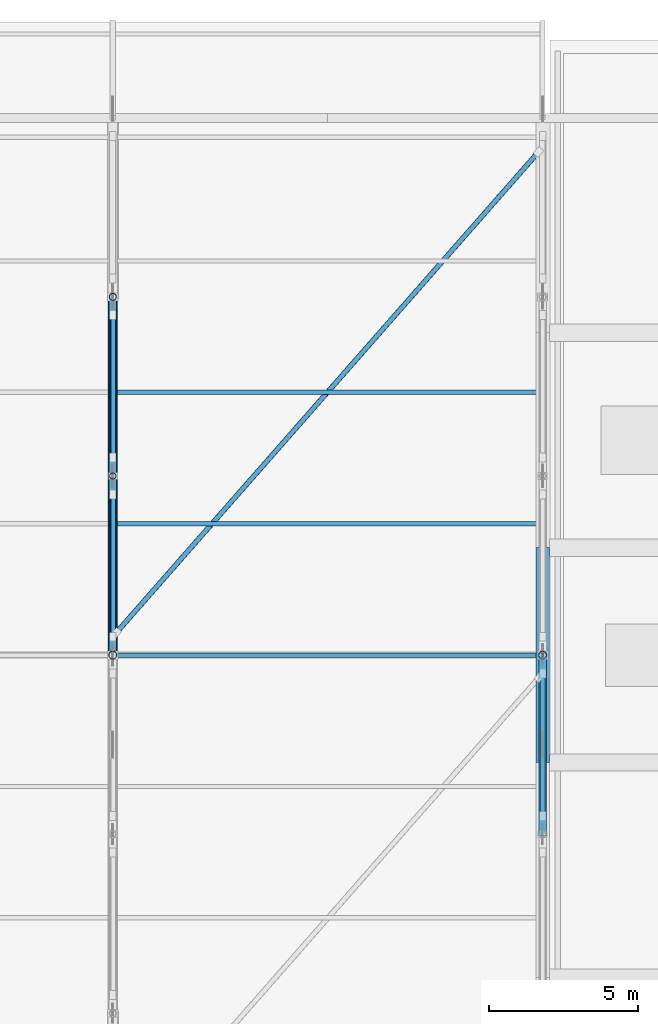
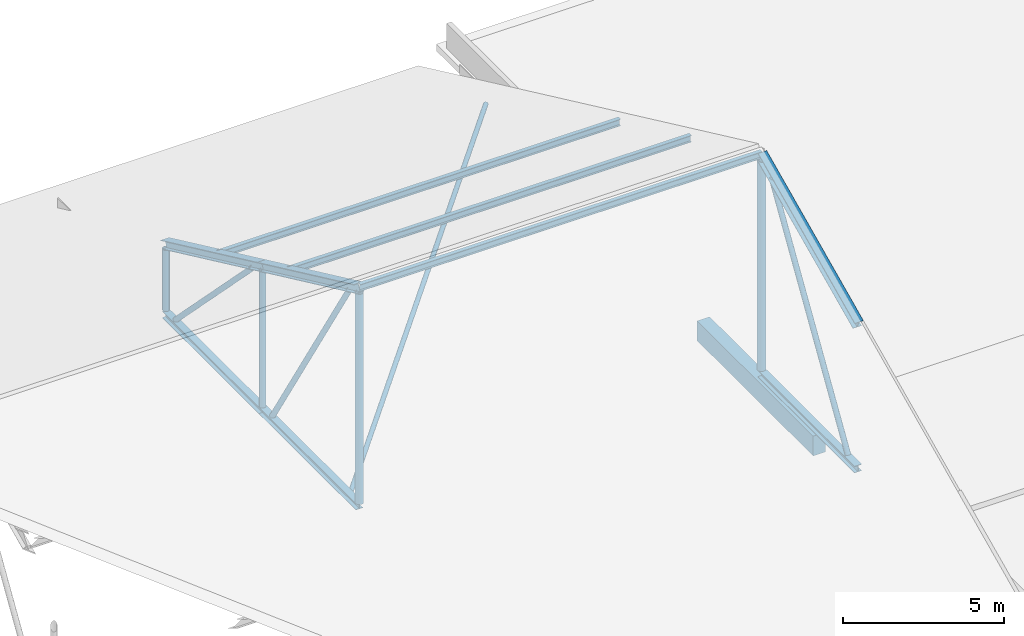
# One storey, part 109 of 141: 17 members, 1 beam, 2 elements without a shape of their own.
"""IFC4 building model written with IfcOpenShell, lengths in metres."""

from ifc_helpers import new_model, si_unit, direction, frame, origin, origin_2d, place, context, subcontext, project, spatial, rectangle, hollow_circle, i_section, extrude, material, material_profile, profile_set, type_object, element, aggregate, save


model = new_model("IFC4")

# Units and contexts
model_context = context("Model", 3, precision=1e-05, world=origin(), true_north=direction((0.0, 1.0)))
body_context = subcontext(model_context, "Body", "Model", "MODEL_VIEW")
ifc_project = project(units=[si_unit("LENGTHUNIT", "METRE"), si_unit("AREAUNIT", "SQUARE_METRE"), si_unit("VOLUMEUNIT", "CUBIC_METRE"), si_unit("PLANEANGLEUNIT", "RADIAN"), si_unit("MASSUNIT", "GRAM", prefix="KILO")], contexts=[model_context])

# Site, building, storey
site_placement = place(None, origin())
site = spatial("IfcSite", under=ifc_project, at=site_placement, CompositionType="ELEMENT")
building_placement = place(site_placement, origin())
building = spatial("IfcBuilding", under=site, at=building_placement, Name="Seraya Terrace Polytechnic", CompositionType="ELEMENT")
storey_placement = place(building_placement, frame((0.0, 0.0, 14.39990234375)))
storey = spatial("IfcBuildingStorey", under=building, at=storey_placement, Name="L03", CompositionType="ELEMENT", Elevation=14.39990234375)

# Assembly, members
ifc_material_1 = material(Name="Steel S355J2", Category="steel")
element_assembly_type = type_object("IfcElementAssemblyType", Name="TR-A1", PredefinedType="TRUSS", material=ifc_material_1)
assembly_1_placement = place(storey_placement, origin())
assembly_1 = element("IfcElementAssembly", 1, at=assembly_1_placement, inside=storey, type_object=element_assembly_type, Name="Pitched steel roof truss TR-07", AssemblyPlace="SITE", PredefinedType="TRUSS")
ifc_material_profile_1 = material_profile(ifc_material_1, i_section(OverallWidth=0.25390625, OverallDepth=0.25390625, WebThickness=0.0107421875, FlangeThickness=0.017333984375, at=origin_2d()), Name="UKC 254x254x10.7x17.3")
ifc_profile_set_1 = profile_set([ifc_material_profile_1], Name="Steel S355J2")
member_type_1 = type_object("IfcMemberType", Name="BC-02", PredefinedType="CHORD", material=ifc_profile_set_1)
member_1_placement = place(storey_placement, frame((100.800048828125, 97.199951171875, 0.150146484375), z_axis=(0.0, 1.0, 0.0), x_axis=(-1.0, 0.0, 0.0)))
member_1 = element("IfcMember", 2, at=member_1_placement, type_object=member_type_1, Name="TR-07 bottom chord 4", PredefinedType="CHORD", context=body_context, shape_type="SweptSolid", body=[
    extrude(i_section(OverallWidth=0.25390625, OverallDepth=0.25390625, WebThickness=0.0107421875, FlangeThickness=0.017333984375, at=origin_2d()), origin(), (0.0, 0.0, 1.0), 6.0),
])
member_2_placement = place(storey_placement, frame((100.800048828125, 103.199951171875, 0.150146484375), z_axis=(0.0, 1.0, 0.0), x_axis=(-1.0, 0.0, 0.0)))
member_2 = element("IfcMember", 3, at=member_2_placement, type_object=member_type_1, Name="TR-07 bottom chord 5", PredefinedType="CHORD", context=body_context, shape_type="SweptSolid", body=[
    extrude(i_section(OverallWidth=0.25390625, OverallDepth=0.25390625, WebThickness=0.0107421875, FlangeThickness=0.017333984375, at=origin_2d()), origin(), (0.0, 0.0, 1.0), 6.0),
])

# Assembly, member
assembly_2_placement = place(storey_placement, origin())
assembly_2 = element("IfcElementAssembly", 4, at=assembly_2_placement, inside=storey, type_object=element_assembly_type, Name="Pitched steel roof truss TR-08", AssemblyPlace="SITE", PredefinedType="TRUSS")
member_3_placement = place(storey_placement, frame((115.199951171875, 91.199951171875, 0.150146484375), z_axis=(0.0, 1.0, 0.0), x_axis=(-1.0, 0.0, 0.0)))
member_3 = element("IfcMember", 5, at=member_3_placement, type_object=member_type_1, Name="TR-08 bottom chord 3", PredefinedType="CHORD", context=body_context, shape_type="SweptSolid", body=[
    extrude(i_section(OverallWidth=0.25390625, OverallDepth=0.25390625, WebThickness=0.0107421875, FlangeThickness=0.017333984375, at=origin_2d()), origin(), (0.0, 0.0, 1.0), 6.0),
])

# Beam
ifc_material_2 = material(Name="Concrete C40/50", Category="concrete")
ifc_material_profile_2 = material_profile(ifc_material_2, rectangle(XDim=0.449951171875, YDim=0.75, at=origin_2d()), Name="RC 450x750")
ifc_profile_set_2 = profile_set([ifc_material_profile_2], Name="Concrete C40/50")
beam_type = type_object("IfcBeamType", Name="BM-08", PredefinedType="BEAM", material=ifc_profile_set_2)
beam_placement = place(storey_placement, frame((115.199951171875, 93.60009765625, -0.375), z_axis=(0.0, 1.0, 0.0), x_axis=(-1.0, 0.0, 0.0)))
element("IfcBeam", 6, at=beam_placement, inside=storey, type_object=beam_type, Name="Beam BM-08 L03 Y (115.2, 93.6..100.8)", PredefinedType="BEAM", context=body_context, shape_type="SweptSolid", body=[
    extrude(rectangle(XDim=0.449951171875, YDim=0.75, at=origin_2d()), origin(), (0.0, 0.0, 1.0), 7.199951171875),
])

# Member
ifc_material_profile_3 = material_profile(ifc_material_1, hollow_circle(Radius=0.096923828125, WallThickness=0.010009765625, at=origin_2d()), Name="CHS 193.7x10.0")
ifc_profile_set_3 = profile_set([ifc_material_profile_3], Name="Steel S355J2")
member_type_2 = type_object("IfcMemberType", Name="BR-02", PredefinedType="BRACE", material=ifc_profile_set_3)
member_4_placement = place(storey_placement, frame((100.800048828125, 97.820068359375, 7.9443359375), z_axis=(0.0, 0.528137409747, -0.84915892295), x_axis=(-1.0, 0.0, 0.0)))
member_4 = element("IfcMember", 7, at=member_4_placement, type_object=member_type_2, Name="TR-07 web diagonal 4", PredefinedType="BRACE", context=body_context, shape_type="SweptSolid", body=[
    extrude(hollow_circle(Radius=0.096923828125, WallThickness=0.010009765625, at=origin_2d()), origin(), (0.0, 0.0, 1.0), 9.012939453125),
])

member_5_placement = place(storey_placement, frame((100.800048828125, 103.820068359375, 5.144287109375), z_axis=(0.0, 0.700213947338, -0.713933069659), x_axis=(-1.0, 0.0, 0.0)))
member_5 = element("IfcMember", 8, at=member_5_placement, type_object=member_type_2, Name="TR-07 web diagonal 5", PredefinedType="BRACE", context=body_context, shape_type="SweptSolid", body=[
    extrude(hollow_circle(Radius=0.096923828125, WallThickness=0.010009765625, at=origin_2d()), origin(), (0.0, 0.0, 1.0), 6.7978515625),
])

member_6_placement = place(storey_placement, frame((115.199951171875, 91.820068359375, 0.291015625), z_axis=(0.0, 0.528137409747, 0.84915892295), x_axis=(-1.0, 0.0, 0.0)))
member_6 = element("IfcMember", 9, at=member_6_placement, type_object=member_type_2, Name="TR-08 web diagonal 3", PredefinedType="BRACE", context=body_context, shape_type="SweptSolid", body=[
    extrude(hollow_circle(Radius=0.096923828125, WallThickness=0.010009765625, at=origin_2d()), origin(), (0.0, 0.0, 1.0), 9.012939453125),
])

# Members
ifc_material_profile_4 = material_profile(ifc_material_1, hollow_circle(Radius=0.084228515625, WallThickness=0.008056640625, at=origin_2d()), Name="CHS 168.3x8.0")
ifc_profile_set_4 = profile_set([ifc_material_profile_4], Name="Steel S355J2")
member_type_3 = type_object("IfcMemberType", Name="BR-03", PredefinedType="BRACE", material=ifc_profile_set_4)
member_7_placement = place(storey_placement, frame((100.91796875, 97.949951171875, 0.150146484375), z_axis=(0.659892492913, 0.751360032073, 0.0), x_axis=(-0.751360032073, 0.659892492913, 0.0)))
element("IfcMember", 10, at=member_7_placement, inside=storey, type_object=member_type_3, Name="Roof plan brace bay 7 N1", PredefinedType="BRACE", context=body_context, shape_type="SweptSolid", body=[
    extrude(hollow_circle(Radius=0.084228515625, WallThickness=0.008056640625, at=origin_2d()), origin(), (0.0, 0.0, 1.0), 21.427978515625),
])
ifc_material_profile_5 = material_profile(ifc_material_1, i_section(OverallWidth=0.14599609375, OverallDepth=0.25390625, WebThickness=0.007080078125, FlangeThickness=0.01416015625, at=origin_2d()), Name="UKB 254x146x7.2x14.2")
ifc_profile_set_5 = profile_set([ifc_material_profile_5], Name="Steel S355J2")
member_type_4 = type_object("IfcMemberType", Name="PR-01", PredefinedType="PURLIN", material=ifc_profile_set_5)
for number, where, z_axis, x_axis, name in (
    (11, (100.800048828125, 97.199951171875, 8.43017578125), (1.0, 0.0, 0.0), (0.0, 1.0, 0.0), "Workshop roof purlin PR-01 bay 7.6"),
    (12, (100.800048828125, 101.60009765625, 6.376953125), (1.0, 0.0, 0.0), (0.0, 1.0, 0.0), "Workshop roof purlin PR-01 bay 7.7"),
    (13, (100.800048828125, 106.0, 4.323486328125), (1.0, 0.0, 0.0), (0.0, 1.0, 0.0), "Workshop roof purlin PR-01 bay 7.8"),
):
    element("IfcMember", number, at=place(storey_placement, frame(where, z_axis=z_axis, x_axis=x_axis)), inside=storey, type_object=member_type_4, Name=name, PredefinedType="PURLIN", context=body_context, shape_type="SweptSolid", body=[
        extrude(i_section(OverallWidth=0.14599609375, OverallDepth=0.25390625, WebThickness=0.007080078125, FlangeThickness=0.01416015625, at=origin_2d()), origin(), (0.0, 0.0, 1.0), 14.39990234375),
    ])

# Member
ifc_material_profile_6 = material_profile(ifc_material_1, hollow_circle(Radius=0.136474609375, WallThickness=0.012451171875, at=origin_2d()), Name="CHS 273.0x12.5")
ifc_profile_set_6 = profile_set([ifc_material_profile_6], Name="Steel S355J2")
member_type_5 = type_object("IfcMemberType", Name="ST-M1", PredefinedType="STRUT", material=ifc_profile_set_6)
member_8_placement = place(storey_placement, frame((100.800048828125, 97.199951171875, 0.281005859375), z_axis=(0.0, 0.0, 1.0), x_axis=(1.0, 0.0, 0.0)))
member_8 = element("IfcMember", 14, at=member_8_placement, type_object=member_type_5, Name="TR-07 vertical strut 4", PredefinedType="STRUT", context=body_context, shape_type="SweptSolid", body=[
    extrude(hollow_circle(Radius=0.136474609375, WallThickness=0.012451171875, at=origin_2d()), origin(), (0.0, 0.0, 1.0), 7.962646484375),
])

member_9_placement = place(storey_placement, frame((115.199951171875, 97.199951171875, 0.281005859375), z_axis=(0.0, 0.0, 1.0), x_axis=(1.0, 0.0, 0.0)))
member_9 = element("IfcMember", 15, at=member_9_placement, type_object=member_type_5, Name="TR-08 vertical strut 4", PredefinedType="STRUT", context=body_context, shape_type="SweptSolid", body=[
    extrude(hollow_circle(Radius=0.136474609375, WallThickness=0.012451171875, at=origin_2d()), origin(), (0.0, 0.0, 1.0), 7.962646484375),
])

ifc_material_profile_7 = material_profile(ifc_material_1, hollow_circle(Radius=0.122314453125, WallThickness=0.012451171875, at=origin_2d()), Name="CHS 244.5x12.5")
ifc_profile_set_7 = profile_set([ifc_material_profile_7], Name="Steel S355J2")
member_type_6 = type_object("IfcMemberType", Name="ST-M2", PredefinedType="STRUT", material=ifc_profile_set_7)
member_10_placement = place(storey_placement, frame((100.800048828125, 109.199951171875, 0.306640625), z_axis=(0.0, 0.0, 1.0), x_axis=(1.0, 0.0, 0.0)))
member_10 = element("IfcMember", 16, at=member_10_placement, type_object=member_type_6, Name="TR-07 vertical strut 6", PredefinedType="STRUT", context=body_context, shape_type="SweptSolid", body=[
    extrude(hollow_circle(Radius=0.122314453125, WallThickness=0.012451171875, at=origin_2d()), origin(), (0.0, 0.0, 1.0), 2.3115234375),
])

ifc_material_profile_8 = material_profile(ifc_material_1, hollow_circle(Radius=0.109619140625, WallThickness=0.010009765625, at=origin_2d()), Name="CHS 219.1x10.0")
ifc_profile_set_8 = profile_set([ifc_material_profile_8], Name="Steel S355J2")
member_type_7 = type_object("IfcMemberType", Name="ST-M3", PredefinedType="STRUT", material=ifc_profile_set_8)
member_11_placement = place(storey_placement, frame((100.800048828125, 103.199951171875, 0.281005859375), z_axis=(0.0, 0.0, 1.0), x_axis=(1.0, 0.0, 0.0)))
member_11 = element("IfcMember", 17, at=member_11_placement, type_object=member_type_7, Name="TR-07 vertical strut 5", PredefinedType="STRUT", context=body_context, shape_type="SweptSolid", body=[
    extrude(hollow_circle(Radius=0.109619140625, WallThickness=0.010009765625, at=origin_2d()), origin(), (0.0, 0.0, 1.0), 5.16259765625),
])

ifc_material_profile_9 = material_profile(ifc_material_1, i_section(OverallWidth=0.304931640625, OverallDepth=0.304931640625, WebThickness=0.011962890625, FlangeThickness=0.019775390625, at=origin_2d()), Name="UKC 305x305x12.0x19.7")
ifc_profile_set_9 = profile_set([ifc_material_profile_9], Name="Steel S355J2")
member_type_8 = type_object("IfcMemberType", Name="TC-02", PredefinedType="CHORD", material=ifc_profile_set_9)
member_12_placement = place(storey_placement, frame((100.800048828125, 97.199951171875, 8.400146484375), z_axis=(0.0, 0.906180313975, -0.422891521036), x_axis=(-1.0, 0.0, 0.0)))
member_12 = element("IfcMember", 18, at=member_12_placement, type_object=member_type_8, Name="TR-07 top chord 4", PredefinedType="CHORD", context=body_context, shape_type="SweptSolid", body=[
    extrude(i_section(OverallWidth=0.304931640625, OverallDepth=0.304931640625, WebThickness=0.011962890625, FlangeThickness=0.019775390625, at=origin_2d()), origin(), (0.0, 0.0, 1.0), 6.62109375),
])

member_13_placement = place(storey_placement, frame((100.800048828125, 103.199951171875, 5.60009765625), z_axis=(0.0, 0.906180313975, -0.422891521036), x_axis=(-1.0, 0.0, 0.0)))
member_13 = element("IfcMember", 19, at=member_13_placement, type_object=member_type_8, Name="TR-07 top chord 5", PredefinedType="CHORD", context=body_context, shape_type="SweptSolid", body=[
    extrude(i_section(OverallWidth=0.304931640625, OverallDepth=0.304931640625, WebThickness=0.011962890625, FlangeThickness=0.019775390625, at=origin_2d()), origin(), (0.0, 0.0, 1.0), 6.62109375),
])

aggregate(assembly_1, [member_1, member_12, member_2, member_13, member_8, member_11, member_10, member_4, member_5])

member_14_placement = place(storey_placement, frame((115.199951171875, 91.199951171875, 5.60009765625), z_axis=(0.0, 0.906180313975, 0.422891521036), x_axis=(-1.0, 0.0, 0.0)))
member_14 = element("IfcMember", 20, at=member_14_placement, type_object=member_type_8, Name="TR-08 top chord 3", PredefinedType="CHORD", context=body_context, shape_type="SweptSolid", body=[
    extrude(i_section(OverallWidth=0.304931640625, OverallDepth=0.304931640625, WebThickness=0.011962890625, FlangeThickness=0.019775390625, at=origin_2d()), origin(), (0.0, 0.0, 1.0), 6.62109375),
])

aggregate(assembly_2, [member_3, member_14, member_9, member_6])

save(model, "model.ifc")
